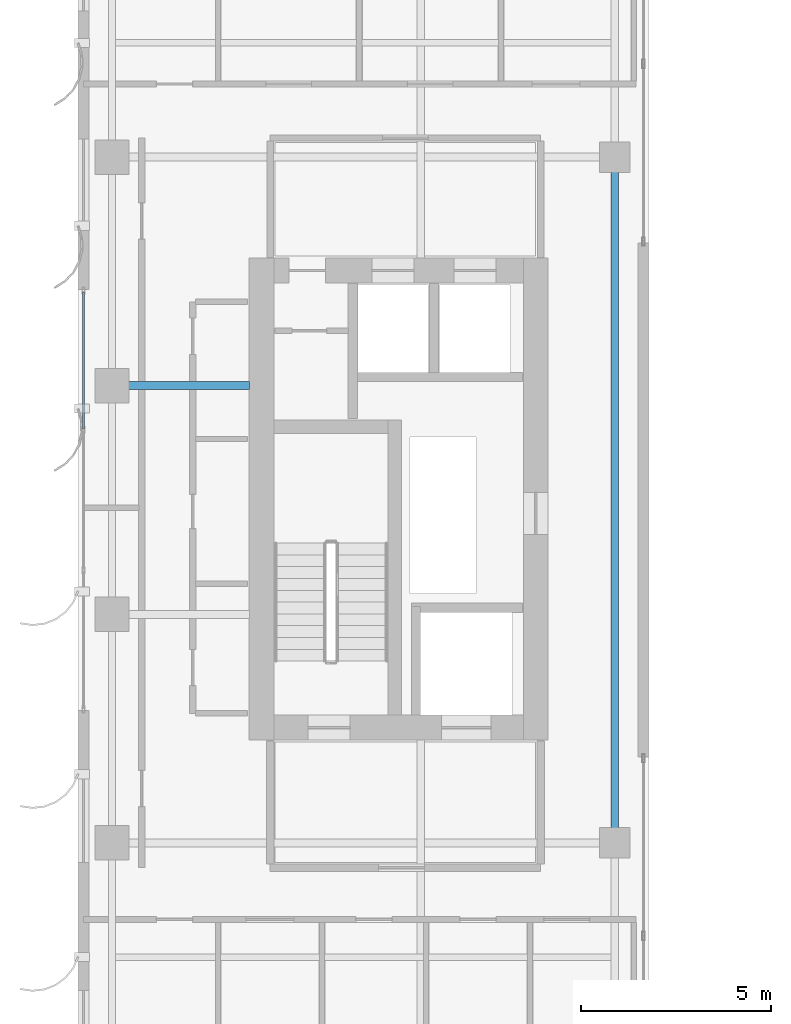
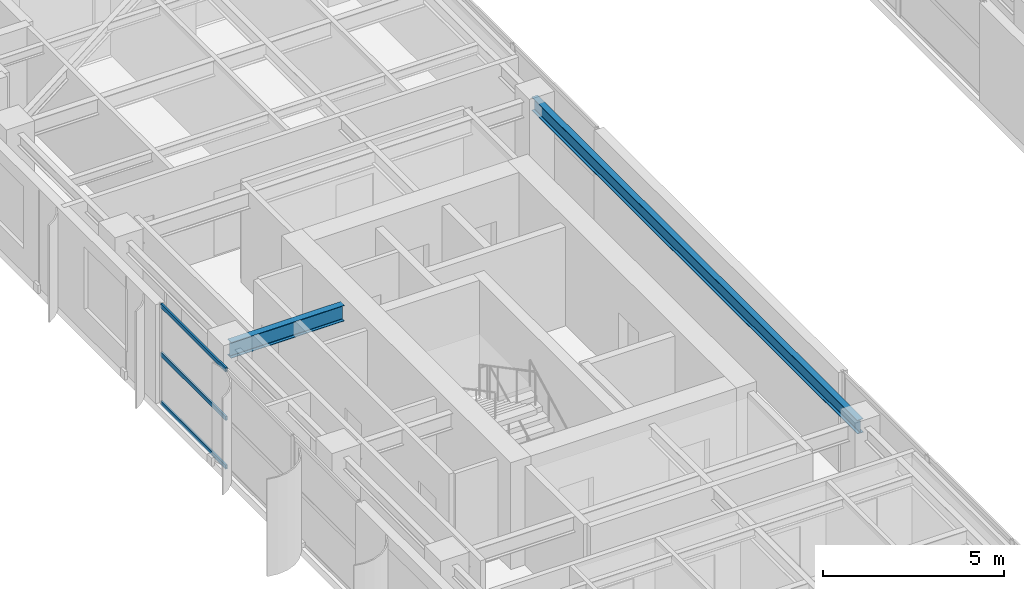
# One storey, part 7 of 22: 3 members, 2 beams, 1 element without a shape of its own.
"""IFC4 building model written with IfcOpenShell, lengths in metres."""

from ifc_helpers import new_model, si_unit, direction, frame, origin, origin_2d, place, context, subcontext, project, spatial, hollow_rectangle, i_section, extrude, source, transform, mapped, material, layer, layer_set, material_profile, profile_set, type_object, element, aggregate, save


model = new_model("IFC4")

# Units and contexts
model_context = context("Model", 3, precision=1e-05, world=origin(), true_north=direction((0.0, 1.0)))
body_context = subcontext(model_context, "Body", "Model", "MODEL_VIEW")
ifc_project = project(units=[si_unit("LENGTHUNIT", "METRE"), si_unit("AREAUNIT", "SQUARE_METRE"), si_unit("VOLUMEUNIT", "CUBIC_METRE"), si_unit("PLANEANGLEUNIT", "RADIAN"), si_unit("MASSUNIT", "GRAM", prefix="KILO")], contexts=[model_context])

# Site, building, storey
site_placement = place(None, origin())
site = spatial("IfcSite", under=ifc_project, at=site_placement, CompositionType="ELEMENT")
building_placement = place(site_placement, origin())
building = spatial("IfcBuilding", under=site, at=building_placement, Name="Khoralis Quay Care Tower", CompositionType="ELEMENT")
storey_placement = place(building_placement, frame((0.0, 0.0, 191.699951171875)))
storey = spatial("IfcBuildingStorey", under=building, at=storey_placement, Name="L50", CompositionType="ELEMENT", Elevation=191.699951171875)

# Beams
ifc_material_1 = material(Name="Steel S355", Category="steel")
ifc_material_profile_1 = material_profile(ifc_material_1, i_section(OverallWidth=0.208984375, OverallDepth=0.532958984375, WebThickness=0.01025390625, FlangeThickness=0.015625, FilletRadius=0.01611328125, at=origin_2d()), Name="Steel S355")
ifc_profile_set_1 = profile_set([ifc_material_profile_1], Name="Steel S355")
beam_type_1 = type_object("IfcBeamType", Name="BM-W530X92", PredefinedType="BEAM", material=ifc_profile_set_1)
shared_shape_1 = source(origin(), body_context, "Body", "SweptSolid", [
    extrude(i_section(OverallWidth=0.208984375, OverallDepth=0.532958984375, WebThickness=0.01025390625, FlangeThickness=0.015625, FilletRadius=0.01611328125, at=origin_2d()), origin(), (0.0, 0.0, 1.0), 3.60205078125),
])
beam_1_placement = place(storey_placement, frame((3.89990234375, 24.0, 3.073486328125), z_axis=(1.0, 0.0, 0.0), x_axis=(0.0, 1.0, 0.0)))
element("IfcBeam", 1, at=beam_1_placement, inside=storey, type_object=beam_type_1, Name="BM-TGXW-L50-240", PredefinedType="BEAM", context=body_context, shape_type="MappedRepresentation", body=[
    mapped(shared_shape_1, transform((0.0, 0.0, 0.0), scale=1.0)),
])
ifc_material_profile_2 = material_profile(ifc_material_1, i_section(OverallWidth=0.19189453125, OverallDepth=0.462890625, WebThickness=0.010498046875, FlangeThickness=0.017578125, FilletRadius=0.014892578125, at=origin_2d()), Name="Steel S355")
ifc_profile_set_2 = profile_set([ifc_material_profile_2], Name="Steel S355")
beam_type_2 = type_object("IfcBeamType", Name="BM-W460X89", PredefinedType="BEAM", material=ifc_profile_set_2)
shared_shape_2 = source(origin(), body_context, "Body", "SweptSolid", [
    extrude(i_section(OverallWidth=0.19189453125, OverallDepth=0.462890625, WebThickness=0.010498046875, FlangeThickness=0.017578125, FilletRadius=0.014892578125, at=origin_2d()), origin(), (0.0, 0.0, 1.0), 18.0),
])
beam_2_placement = place(storey_placement, frame((17.10009765625, 12.0, 3.108642578125), z_axis=(0.0, 1.0, 0.0), x_axis=(-1.0, 0.0, 0.0)))
element("IfcBeam", 2, at=beam_2_placement, inside=storey, type_object=beam_type_2, Name="BM-TGSW-L50", PredefinedType="BEAM", context=body_context, shape_type="MappedRepresentation", body=[
    mapped(shared_shape_2, transform((0.0, 0.0, 0.0), scale=1.0)),
])

# Curtain wall, members
ifc_material_2 = material(Name="Pale anodised aluminium", Category="aluminium")
ifc_layer = layer(ifc_material_2, 0.159912109375)
ifc_layer_set = layer_set([ifc_layer], Name="Pale anodised aluminium")
curtain_wall_type = type_object("IfcCurtainWallType", Name="CW-SYS-Z3", PredefinedType="NOTDEFINED", material=ifc_layer_set)
curtain_wall_placement = place(storey_placement, origin())
curtain_wall = element("IfcCurtainWall", 3, at=curtain_wall_placement, inside=storey, type_object=curtain_wall_type, Name="L50 Unitised Curtain Wall CW-L50-P1-E7", PredefinedType="NOTDEFINED")
ifc_material_profile_3 = material_profile(ifc_material_2, hollow_rectangle(XDim=0.06005859375, YDim=0.139892578125, WallThickness=0.00390625, at=origin_2d()), Name="Pale anodised aluminium")
ifc_profile_set_3 = profile_set([ifc_material_profile_3], Name="Pale anodised aluminium")
member_type = type_object("IfcMemberType", Name="CW-TRN-140", PredefinedType="USERDEFINED", material=ifc_profile_set_3)
shared_shape_3 = source(origin(), body_context, "Body", "SweptSolid", [
    extrude(hollow_rectangle(XDim=0.06005859375, YDim=0.139892578125, WallThickness=0.00390625, at=origin_2d()), origin(), (0.0, 0.0, 1.0), 3.58984375),
])
member_1_placement = place(storey_placement, frame((3.14990234375, 26.4599609375, 0.030029296875), z_axis=(0.0, -1.0, 0.0), x_axis=(1.0, 0.0, 0.0)))
member_1 = element("IfcMember", 4, at=member_1_placement, type_object=member_type, Name="CW3 transom 1.1", ObjectType="TRANSOM", PredefinedType="USERDEFINED", context=body_context, shape_type="MappedRepresentation", body=[
    mapped(shared_shape_3, transform((0.0, 0.0, 0.0), scale=1.0)),
])
member_2_placement = place(storey_placement, frame((3.14990234375, 26.4599609375, 1.670166015625), z_axis=(0.0, -1.0, 0.0), x_axis=(1.0, 0.0, 0.0)))
member_2 = element("IfcMember", 5, at=member_2_placement, type_object=member_type, Name="CW3 transom 1.2", ObjectType="TRANSOM", PredefinedType="USERDEFINED", context=body_context, shape_type="MappedRepresentation", body=[
    mapped(shared_shape_3, transform((0.0, 0.0, 0.0), scale=1.0)),
])
member_3_placement = place(storey_placement, frame((3.14990234375, 26.4599609375, 3.31005859375), z_axis=(0.0, -1.0, 0.0), x_axis=(1.0, 0.0, 0.0)))
member_3 = element("IfcMember", 6, at=member_3_placement, type_object=member_type, Name="CW3 transom 1.3", ObjectType="TRANSOM", PredefinedType="USERDEFINED", context=body_context, shape_type="MappedRepresentation", body=[
    mapped(shared_shape_3, transform((0.0, 0.0, 0.0), scale=1.0)),
])
aggregate(curtain_wall, [member_1, member_2, member_3])

save(model, "model.ifc")
